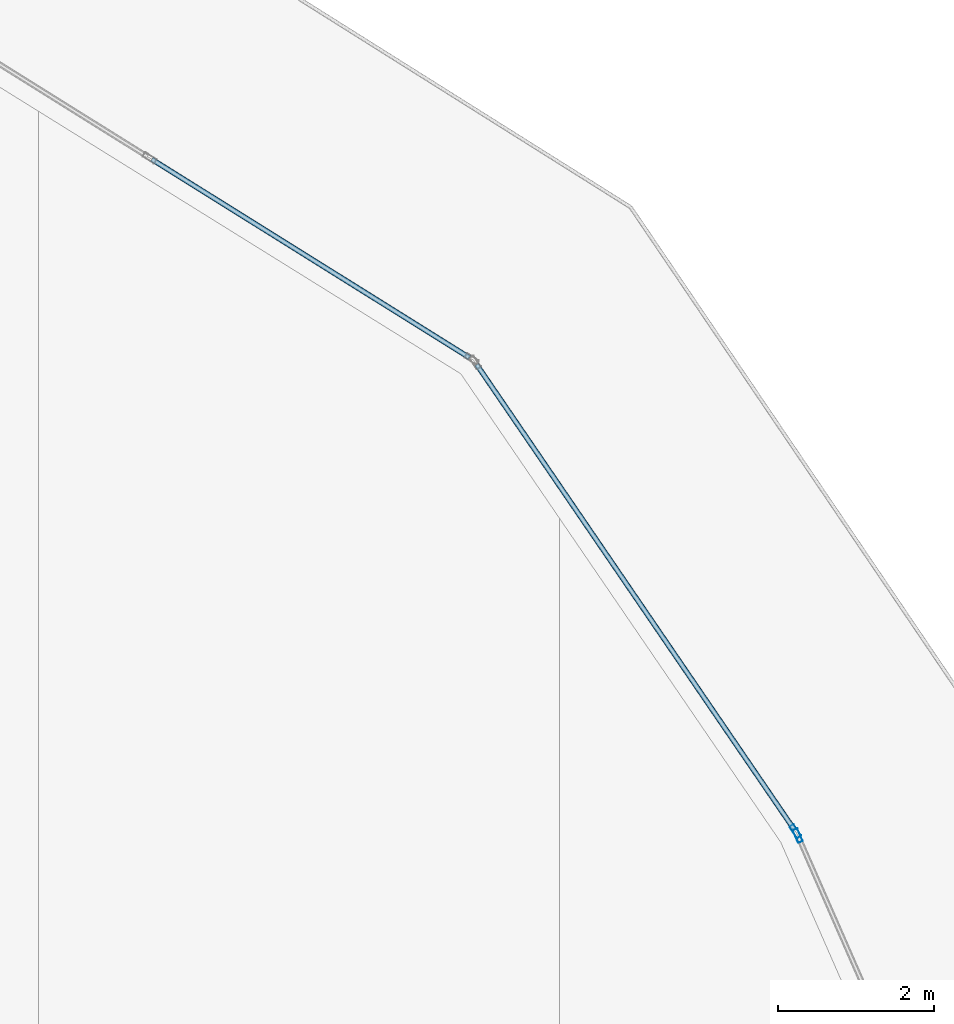
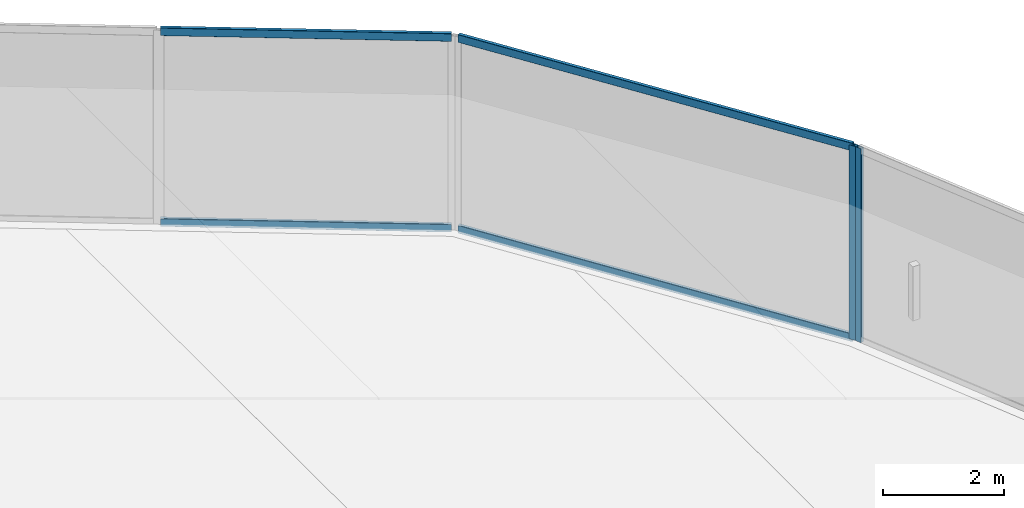
# One storey, part 28 of 52: 6 members, 3 elements without a shape of their own.
"""IFC4 building model written with IfcOpenShell, lengths in metres."""

from ifc_helpers import new_model, si_unit, direction, frame, origin, origin_2d, place, context, subcontext, project, spatial, hollow_rectangle, extrude, material, layer, layer_set, material_profile, profile_set, type_object, element, aggregate, save


model = new_model("IFC4")

# Units and contexts
model_context = context("Model", 3, precision=1e-05, world=origin(), true_north=direction((0.0, 1.0)))
body_context = subcontext(model_context, "Body", "Model", "MODEL_VIEW")
ifc_project = project(units=[si_unit("LENGTHUNIT", "METRE"), si_unit("AREAUNIT", "SQUARE_METRE"), si_unit("VOLUMEUNIT", "CUBIC_METRE"), si_unit("PLANEANGLEUNIT", "RADIAN"), si_unit("MASSUNIT", "GRAM", prefix="KILO")], contexts=[model_context])

# Site, building, storey
site_placement = place(None, origin())
site = spatial("IfcSite", under=ifc_project, at=site_placement, CompositionType="ELEMENT")
building_placement = place(site_placement, origin())
building = spatial("IfcBuilding", under=site, at=building_placement, Name="Qorvath Tower", CompositionType="ELEMENT")
storey_placement = place(building_placement, frame((0.0, 0.0, 61.800048828125)))
storey = spatial("IfcBuildingStorey", under=building, at=storey_placement, Name="L13", CompositionType="ELEMENT", Elevation=61.800048828125)

# Curtain wall, member
ifc_material_1 = material(Name="Anodised aluminium and triple low-E glass", Category="aluminium")
ifc_layer = layer(ifc_material_1, 0.179931640625)
ifc_layer_set = layer_set([ifc_layer], Name="CW-SYS-2")
curtain_wall_type = type_object("IfcCurtainWallType", Name="CW-SYS-2", PredefinedType="NOTDEFINED", material=ifc_layer_set)
curtain_wall_1_placement = place(storey_placement, origin())
curtain_wall_1 = element("IfcCurtainWall", 1, at=curtain_wall_1_placement, inside=storey, type_object=curtain_wall_type, Name="Curtain Wall CW-2 CW-T-L13-12.1", PredefinedType="NOTDEFINED")
ifc_material_2 = material(Name="Anodised aluminium 6063-T6", Category="aluminium")
ifc_material_profile_1 = material_profile(ifc_material_2, hollow_rectangle(XDim=0.06494140625, YDim=0.179931640625, WallThickness=0.00341796875, InnerFilletRadius=0.00341796875, OuterFilletRadius=0.007080078125, at=origin_2d()), Name="CWM 180x65")
ifc_profile_set_1 = profile_set([ifc_material_profile_1], Name="Anodised aluminium 6063-T6")
member_type_1 = type_object("IfcMemberType", Name="CWM-180", PredefinedType="MULLION", material=ifc_profile_set_1)
member_1_placement = place(storey_placement, frame((2.135986328125, 19.162353515625, 0.0), z_axis=(0.0, 0.0, 1.0), x_axis=(-0.915962762712, -0.40126327682, 0.0)))
member_1 = element("IfcMember", 2, at=member_1_placement, type_object=member_type_1, Name="CW-2 mullion 2", PredefinedType="MULLION", context=body_context, shape_type="SweptSolid", body=[
    extrude(hollow_rectangle(XDim=0.06494140625, YDim=0.179931640625, WallThickness=0.00341796875, InnerFilletRadius=0.00341796875, OuterFilletRadius=0.007080078125, at=origin_2d()), origin(), (0.0, 0.0, 1.0), 3.919921875),
])
aggregate(curtain_wall_1, [member_1])

# Curtain wall, members
curtain_wall_2_placement = place(storey_placement, origin())
curtain_wall_2 = element("IfcCurtainWall", 3, at=curtain_wall_2_placement, inside=storey, type_object=curtain_wall_type, Name="Curtain Wall CW-2 CW-T-L13-13.1", PredefinedType="NOTDEFINED")
member_2_placement = place(storey_placement, frame((2.104736328125, 19.218994140625, 0.0), z_axis=(0.0, 0.0, 1.0), x_axis=(-0.825808847881, -0.563950127903, 0.0)))
member_2 = element("IfcMember", 4, at=member_2_placement, type_object=member_type_1, Name="CW-2 mullion 1", PredefinedType="MULLION", context=body_context, shape_type="SweptSolid", body=[
    extrude(hollow_rectangle(XDim=0.06494140625, YDim=0.179931640625, WallThickness=0.00341796875, InnerFilletRadius=0.00341796875, OuterFilletRadius=0.007080078125, at=origin_2d()), origin(), (0.0, 0.0, 1.0), 3.919921875),
])
ifc_material_3 = material(Name="Anodised aluminium 6063-T6", Category="aluminium")
ifc_material_profile_2 = material_profile(ifc_material_3, hollow_rectangle(XDim=0.06494140625, YDim=0.159912109375, WallThickness=0.00341796875, InnerFilletRadius=0.00341796875, OuterFilletRadius=0.007080078125, at=origin_2d()), Name="CWT 160x65")
ifc_profile_set_2 = profile_set([ifc_material_profile_2], Name="Anodised aluminium 6063-T6")
member_type_2 = type_object("IfcMemberType", Name="CWT-160", PredefinedType="USERDEFINED", material=ifc_profile_set_2)
member_3_placement = place(storey_placement, frame((2.08642578125, 19.245849609375, 0.032470703125), z_axis=(-0.563963891328, 0.825799448582, 0.0), x_axis=(-0.825799448582, -0.563963891328, 0.0)))
member_3 = element("IfcMember", 5, at=member_3_placement, type_object=member_type_2, Name="CW-2 transom 1.1", ObjectType="TRANSOM", PredefinedType="USERDEFINED", context=body_context, shape_type="SweptSolid", body=[
    extrude(hollow_rectangle(XDim=0.06494140625, YDim=0.159912109375, WallThickness=0.00341796875, InnerFilletRadius=0.00341796875, OuterFilletRadius=0.007080078125, at=origin_2d()), origin(), (0.0, 0.0, 1.0), 7.234619140625),
])
member_4_placement = place(storey_placement, frame((2.08642578125, 19.245849609375, 3.887451171875), z_axis=(-0.563963891328, 0.825799448582, 0.0), x_axis=(-0.825799448582, -0.563963891328, 0.0)))
member_4 = element("IfcMember", 6, at=member_4_placement, type_object=member_type_2, Name="CW-2 transom 1.2", ObjectType="TRANSOM", PredefinedType="USERDEFINED", context=body_context, shape_type="SweptSolid", body=[
    extrude(hollow_rectangle(XDim=0.06494140625, YDim=0.159912109375, WallThickness=0.00341796875, InnerFilletRadius=0.00341796875, OuterFilletRadius=0.007080078125, at=origin_2d()), origin(), (0.0, 0.0, 1.0), 7.234619140625),
])
aggregate(curtain_wall_2, [member_2, member_3, member_4])

curtain_wall_3_placement = place(storey_placement, origin())
curtain_wall_3 = element("IfcCurtainWall", 7, at=curtain_wall_3_placement, inside=storey, type_object=curtain_wall_type, Name="Curtain Wall CW-2 CW-T-L13-14.1", PredefinedType="NOTDEFINED")
member_5_placement = place(storey_placement, frame((-2.08544921875, 25.308349609375, 0.032470703125), z_axis=(-0.848186144124, 0.529698277245, 0.0), x_axis=(-0.529698277245, -0.848186144124, 0.0)))
member_5 = element("IfcMember", 8, at=member_5_placement, type_object=member_type_2, Name="CW-2 transom 1.1", ObjectType="TRANSOM", PredefinedType="USERDEFINED", context=body_context, shape_type="SweptSolid", body=[
    extrude(hollow_rectangle(XDim=0.06494140625, YDim=0.159912109375, WallThickness=0.00341796875, InnerFilletRadius=0.00341796875, OuterFilletRadius=0.007080078125, at=origin_2d()), origin(), (0.0, 0.0, 1.0), 4.81787109375),
])
member_6_placement = place(storey_placement, frame((-2.08544921875, 25.308349609375, 3.887451171875), z_axis=(-0.848186144124, 0.529698277245, 0.0), x_axis=(-0.529698277245, -0.848186144124, 0.0)))
member_6 = element("IfcMember", 9, at=member_6_placement, type_object=member_type_2, Name="CW-2 transom 1.2", ObjectType="TRANSOM", PredefinedType="USERDEFINED", context=body_context, shape_type="SweptSolid", body=[
    extrude(hollow_rectangle(XDim=0.06494140625, YDim=0.159912109375, WallThickness=0.00341796875, InnerFilletRadius=0.00341796875, OuterFilletRadius=0.007080078125, at=origin_2d()), origin(), (0.0, 0.0, 1.0), 4.81787109375),
])
aggregate(curtain_wall_3, [member_5, member_6])

save(model, "model.ifc")
